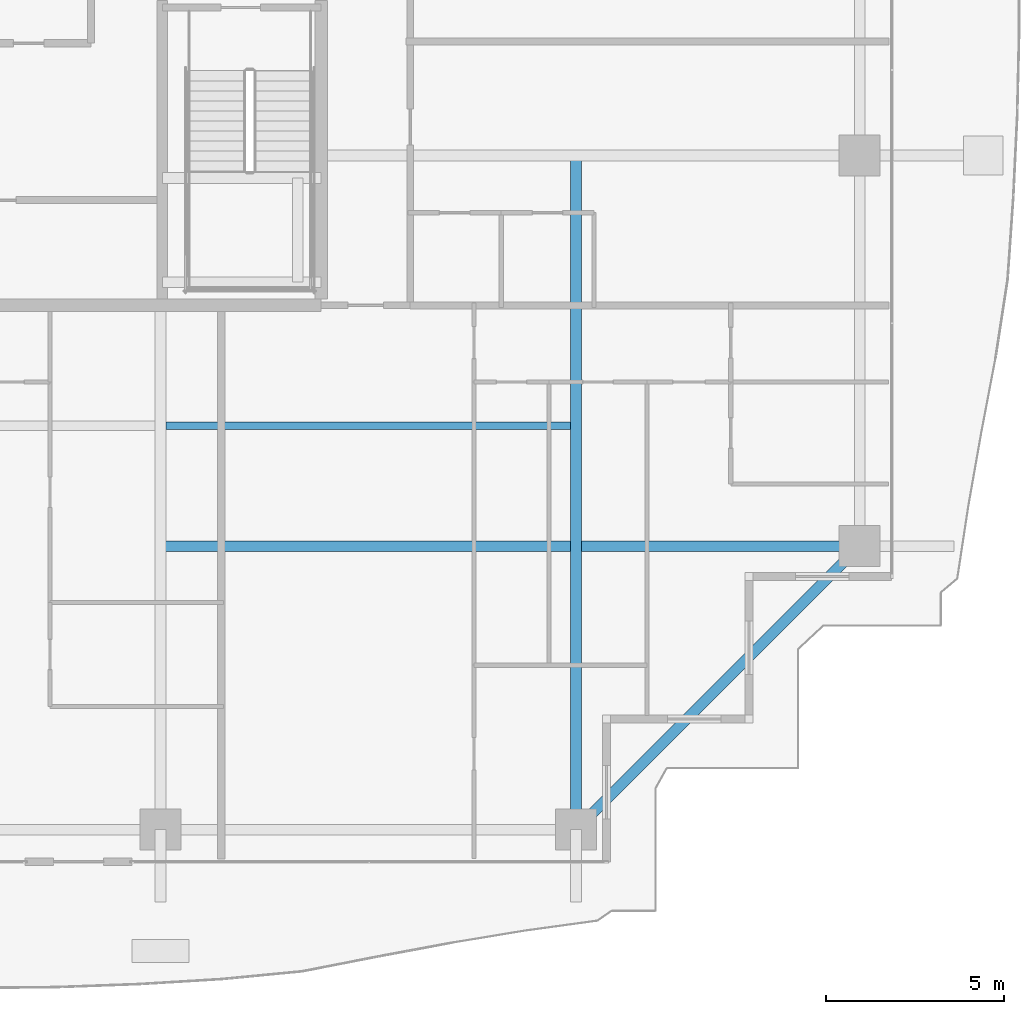
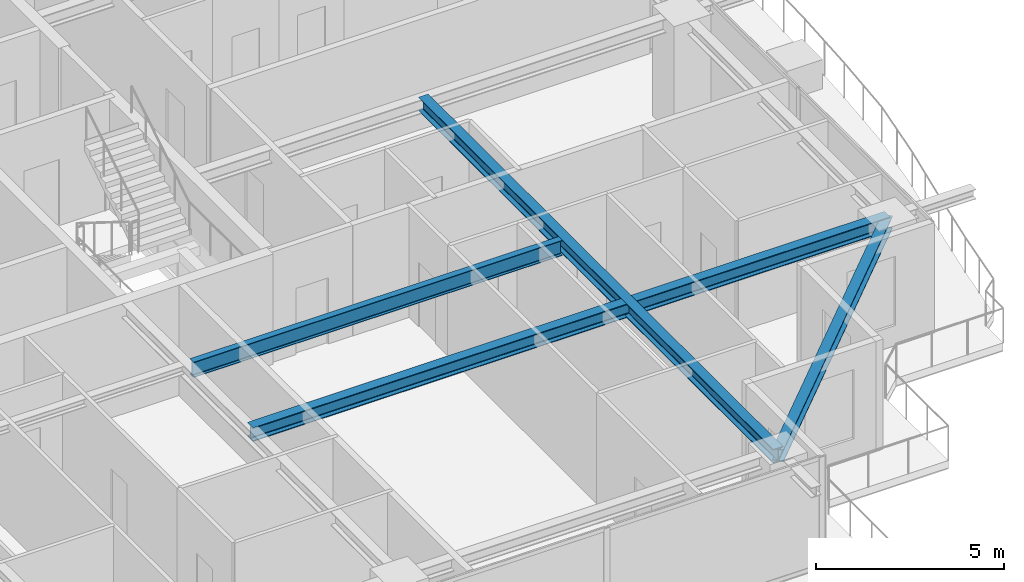
# One storey, part 12 of 38: 4 beams.
"""IFC4 building model written with IfcOpenShell, lengths in metres."""

from ifc_helpers import new_model, si_unit, direction, frame, origin, origin_2d, place, context, subcontext, project, spatial, i_section, extrude, source, transform, mapped, material, material_profile, profile_set, type_object, element, save


model = new_model("IFC4")

# Units and contexts
model_context = context("Model", 3, precision=1e-05, world=origin(), true_north=direction((0.0, 1.0)))
body_context = subcontext(model_context, "Body", "Model", "MODEL_VIEW")
ifc_project = project(units=[si_unit("LENGTHUNIT", "METRE"), si_unit("AREAUNIT", "SQUARE_METRE"), si_unit("VOLUMEUNIT", "CUBIC_METRE"), si_unit("PLANEANGLEUNIT", "RADIAN"), si_unit("MASSUNIT", "GRAM", prefix="KILO")], contexts=[model_context])

# Site, building, storey
site_placement = place(None, origin())
site = spatial("IfcSite", under=ifc_project, at=site_placement, CompositionType="ELEMENT")
building_placement = place(site_placement, origin())
building = spatial("IfcBuilding", under=site, at=building_placement, Name="Serunith Strait Residences", CompositionType="ELEMENT")
storey_placement = place(building_placement, frame((0.0, 0.0, 245.10009765625)))
storey = spatial("IfcBuildingStorey", under=building, at=storey_placement, Name="L61", CompositionType="ELEMENT", Elevation=245.10009765625)

# Beams
ifc_material = material(Name="Steel S355J2", Category="steel")
ifc_material_profile_1 = material_profile(ifc_material, i_section(OverallWidth=0.300048828125, OverallDepth=0.449951171875, WebThickness=0.013916015625, FlangeThickness=0.02587890625, FilletRadius=0.027099609375, at=origin_2d()), Name="HEB 450")
ifc_profile_set_1 = profile_set([ifc_material_profile_1], Name="Steel S355J2")
beam_type_1 = type_object("IfcBeamType", Name="BM-HEB450", PredefinedType="BEAM", material=ifc_profile_set_1)
shared_shape_1 = source(origin(), body_context, "Body", "SweptSolid", [
    extrude(i_section(OverallWidth=0.300048828125, OverallDepth=0.449951171875, WebThickness=0.013916015625, FlangeThickness=0.02587890625, FilletRadius=0.027099609375, at=origin_2d()), origin(), (0.0, 0.0, 1.0), 18.89990234375),
])
beam_1_placement = place(storey_placement, frame((48.550048828125, 21.0, 3.36181640625), z_axis=(0.0, -1.0, 0.0), x_axis=(1.0, 0.0, 0.0)))
element("IfcBeam", 1, at=beam_1_placement, inside=storey, type_object=beam_type_1, Name="L61 Orthogonal Corner Girder TC-S4", PredefinedType="BEAM", context=body_context, shape_type="MappedRepresentation", body=[
    mapped(shared_shape_1, transform((0.0, 0.0, 0.0), scale=1.0)),
])
shared_shape_2 = source(origin(), body_context, "Body", "SweptSolid", [
    extrude(i_section(OverallWidth=0.300048828125, OverallDepth=0.449951171875, WebThickness=0.013916015625, FlangeThickness=0.02587890625, FilletRadius=0.027099609375, at=origin_2d()), origin(), (0.0, 0.0, 1.0), 19.60009765625),
])
beam_2_placement = place(storey_placement, frame((36.89990234375, 10.050048828125, 3.36181640625), z_axis=(1.0, 0.0, 0.0), x_axis=(0.0, 1.0, 0.0)))
element("IfcBeam", 2, at=beam_2_placement, inside=storey, type_object=beam_type_1, Name="L61 Orthogonal Corner Girder TC-E1", PredefinedType="BEAM", context=body_context, shape_type="MappedRepresentation", body=[
    mapped(shared_shape_2, transform((0.0, 0.0, 0.0), scale=1.0)),
])
ifc_material_profile_2 = material_profile(ifc_material, i_section(OverallWidth=0.300048828125, OverallDepth=0.39990234375, WebThickness=0.013427734375, FlangeThickness=0.02392578125, FilletRadius=0.027099609375, at=origin_2d()), Name="HEB 400")
ifc_profile_set_2 = profile_set([ifc_material_profile_2], Name="Steel S355J2")
beam_type_2 = type_object("IfcBeamType", Name="BM-HEB400", PredefinedType="BEAM", material=ifc_profile_set_2)
shared_shape_3 = source(origin(), body_context, "Body", "SweptSolid", [
    extrude(i_section(OverallWidth=0.300048828125, OverallDepth=0.39990234375, WebThickness=0.013427734375, FlangeThickness=0.02392578125, FilletRadius=0.027099609375, at=origin_2d()), origin(), (0.0, 0.0, 1.0), 11.242919921875),
])
beam_3_placement = place(storey_placement, frame((48.550048828125, 2.10009765625, 3.35693359375), z_axis=(0.707106781187, 0.707106781187, 0.0), x_axis=(-0.707106781187, 0.707106781187, 0.0)))
element("IfcBeam", 3, at=beam_3_placement, inside=storey, type_object=beam_type_2, Name="L61 Perimeter Ring Beam 04", PredefinedType="BEAM", context=body_context, shape_type="MappedRepresentation", body=[
    mapped(shared_shape_3, transform((0.0, 0.0, 0.0), scale=1.0)),
])
ifc_material_profile_3 = material_profile(ifc_material, i_section(OverallWidth=0.199951171875, OverallDepth=0.5, WebThickness=0.01025390625, FlangeThickness=0.01611328125, FilletRadius=0.02099609375, at=origin_2d()), Name="IPE 500")
ifc_profile_set_3 = profile_set([ifc_material_profile_3], Name="Steel S355J2")
beam_type_3 = type_object("IfcBeamType", Name="BM-IPE500", PredefinedType="JOIST", material=ifc_profile_set_3)
shared_shape_4 = source(origin(), body_context, "Body", "SweptSolid", [
    extrude(i_section(OverallWidth=0.199951171875, OverallDepth=0.5, WebThickness=0.01025390625, FlangeThickness=0.01611328125, FilletRadius=0.02099609375, at=origin_2d()), origin(), (0.0, 0.0, 1.0), 11.349853515625),
])
beam_4_placement = place(storey_placement, frame((37.050048828125, 13.425048828125, 3.3369140625), z_axis=(1.0, 0.0, 0.0), x_axis=(0.0, 1.0, 0.0)))
element("IfcBeam", 4, at=beam_4_placement, inside=storey, type_object=beam_type_3, Name="L61 Composite Floor Joist 03", PredefinedType="JOIST", context=body_context, shape_type="MappedRepresentation", body=[
    mapped(shared_shape_4, transform((0.0, 0.0, 0.0), scale=1.0)),
])

save(model, "model.ifc")
